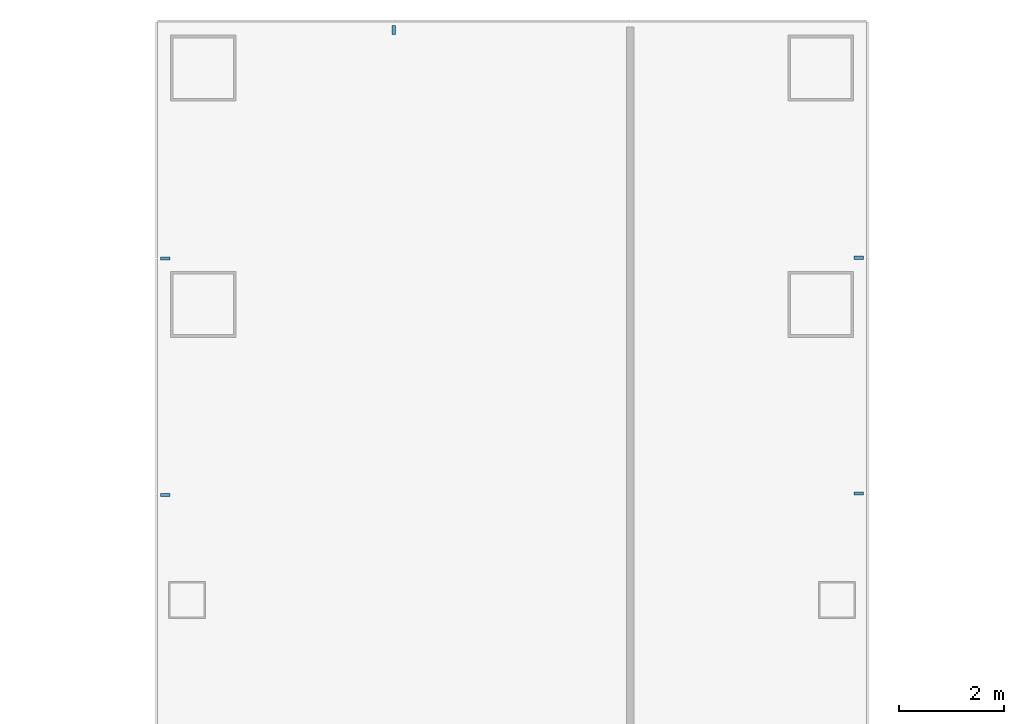
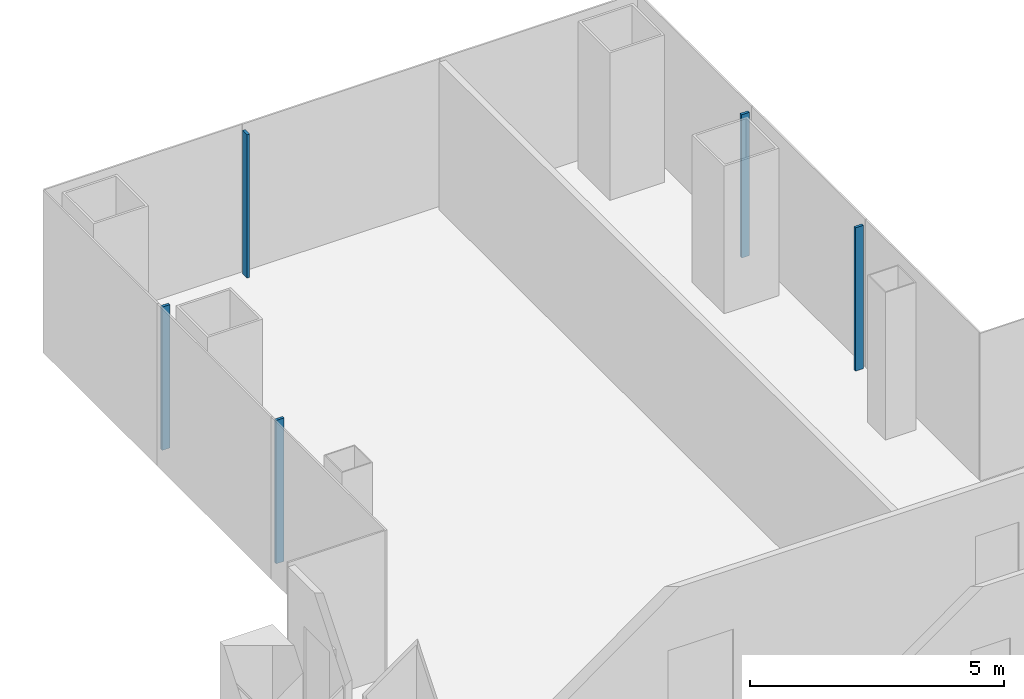
# One storey, part 7 of 19: 5 members, 3 elements without a shape of their own.
"""IFC4 building model written with IfcOpenShell, lengths in metres."""

from ifc_helpers import new_model, si_unit, direction, frame, origin, origin_2d, place, context, subcontext, project, spatial, rectangle, extrude, material, layer, layer_set, material_profile, profile_set, type_object, element, aggregate, save


model = new_model("IFC4")

# Units and contexts
model_context = context("Model", 3, precision=1e-05, world=origin(), true_north=direction((0.0, 1.0)))
body_context = subcontext(model_context, "Body", "Model", "MODEL_VIEW")
ifc_project = project(units=[si_unit("LENGTHUNIT", "METRE"), si_unit("AREAUNIT", "SQUARE_METRE"), si_unit("VOLUMEUNIT", "CUBIC_METRE"), si_unit("PLANEANGLEUNIT", "RADIAN"), si_unit("MASSUNIT", "GRAM", prefix="KILO")], contexts=[model_context])

# Site, building, storey
site_placement = place(None, origin())
site = spatial("IfcSite", under=ifc_project, at=site_placement, CompositionType="ELEMENT")
building_placement = place(site_placement, origin())
building = spatial("IfcBuilding", under=site, at=building_placement, Name="Shamsa Quay Exchange Towers", CompositionType="ELEMENT")
storey_placement = place(building_placement, frame((0.0, 0.0, 93.60009765625)))
storey = spatial("IfcBuildingStorey", under=building, at=storey_placement, Name="L21", CompositionType="ELEMENT", Elevation=93.60009765625)

# Curtain wall, members
ifc_material = material(Name="Aluminium EN AW-6063 T6, black anodised", Category="aluminium")
ifc_layer = layer(ifc_material, 0.280029296875)
ifc_layer_set = layer_set([ifc_layer], Name="CW-1 UNITISED VISION GLASS")
curtain_wall_type = type_object("IfcCurtainWallType", Name="CW-1 UNITISED VISION GLASS", PredefinedType="NOTDEFINED", material=ifc_layer_set)
curtain_wall_1_placement = place(storey_placement, origin())
curtain_wall_1 = element("IfcCurtainWall", 1, at=curtain_wall_1_placement, inside=storey, type_object=curtain_wall_type, Name="CW1 T2-FLK-U+S L21", PredefinedType="NOTDEFINED")
ifc_material_profile = material_profile(ifc_material, rectangle(XDim=0.179931640625, YDim=0.06005859375, at=origin_2d()), Name="MU60x180")
ifc_profile_set = profile_set([ifc_material_profile], Name="Aluminium EN AW-6063 T6, black anodised")
member_type = type_object("IfcMemberType", Name="CW1 MULLION 60x180", PredefinedType="MULLION", material=ifc_profile_set)
member_1_placement = place(storey_placement, frame((40.35009765625, 15.775390625, 0.0), z_axis=(0.0, 0.0, 1.0), x_axis=(-1.0, 0.0, 0.0)))
member_1 = element("IfcMember", 2, at=member_1_placement, type_object=member_type, Name="CW1 mullion", PredefinedType="MULLION", context=body_context, shape_type="SweptSolid", body=[
    extrude(rectangle(XDim=0.179931640625, YDim=0.06005859375, at=origin_2d()), origin(), (0.0, 0.0, 1.0), 3.449951171875),
])
member_2_placement = place(storey_placement, frame((40.35009765625, 20.2626953125, 0.0), z_axis=(0.0, 0.0, 1.0), x_axis=(-1.0, 0.0, 0.0)))
member_2 = element("IfcMember", 3, at=member_2_placement, type_object=member_type, Name="CW1 mullion", PredefinedType="MULLION", context=body_context, shape_type="SweptSolid", body=[
    extrude(rectangle(XDim=0.179931640625, YDim=0.06005859375, at=origin_2d()), origin(), (0.0, 0.0, 1.0), 3.449951171875),
])
aggregate(curtain_wall_1, [member_1, member_2])

# Curtain wall, member
curtain_wall_2_placement = place(storey_placement, origin())
curtain_wall_2 = element("IfcCurtainWall", 4, at=curtain_wall_2_placement, inside=storey, type_object=curtain_wall_type, Name="CW1 T2-END-U+ L21", PredefinedType="NOTDEFINED")
member_3_placement = place(storey_placement, frame((31.5, 24.60009765625, 0.0), z_axis=(0.0, 0.0, 1.0), x_axis=(0.0, -1.0, 0.0)))
member_3 = element("IfcMember", 5, at=member_3_placement, type_object=member_type, Name="CW1 mullion", PredefinedType="MULLION", context=body_context, shape_type="SweptSolid", body=[
    extrude(rectangle(XDim=0.179931640625, YDim=0.06005859375, at=origin_2d()), origin(), (0.0, 0.0, 1.0), 3.449951171875),
])
aggregate(curtain_wall_2, [member_3])

# Curtain wall, members
curtain_wall_3_placement = place(storey_placement, origin())
curtain_wall_3 = element("IfcCurtainWall", 6, at=curtain_wall_3_placement, inside=storey, type_object=curtain_wall_type, Name="CW1 T2-FLK-U+N L21", PredefinedType="NOTDEFINED")
member_4_placement = place(storey_placement, frame((27.14990234375, 20.25, 0.0)))
member_4 = element("IfcMember", 7, at=member_4_placement, type_object=member_type, Name="CW1 mullion", PredefinedType="MULLION", context=body_context, shape_type="SweptSolid", body=[
    extrude(rectangle(XDim=0.179931640625, YDim=0.06005859375, at=origin_2d()), origin(), (0.0, 0.0, 1.0), 3.449951171875),
])
member_5_placement = place(storey_placement, frame((27.14990234375, 15.75, 0.0)))
member_5 = element("IfcMember", 8, at=member_5_placement, type_object=member_type, Name="CW1 mullion", PredefinedType="MULLION", context=body_context, shape_type="SweptSolid", body=[
    extrude(rectangle(XDim=0.179931640625, YDim=0.06005859375, at=origin_2d()), origin(), (0.0, 0.0, 1.0), 3.449951171875),
])
aggregate(curtain_wall_3, [member_4, member_5])

save(model, "model.ifc")
